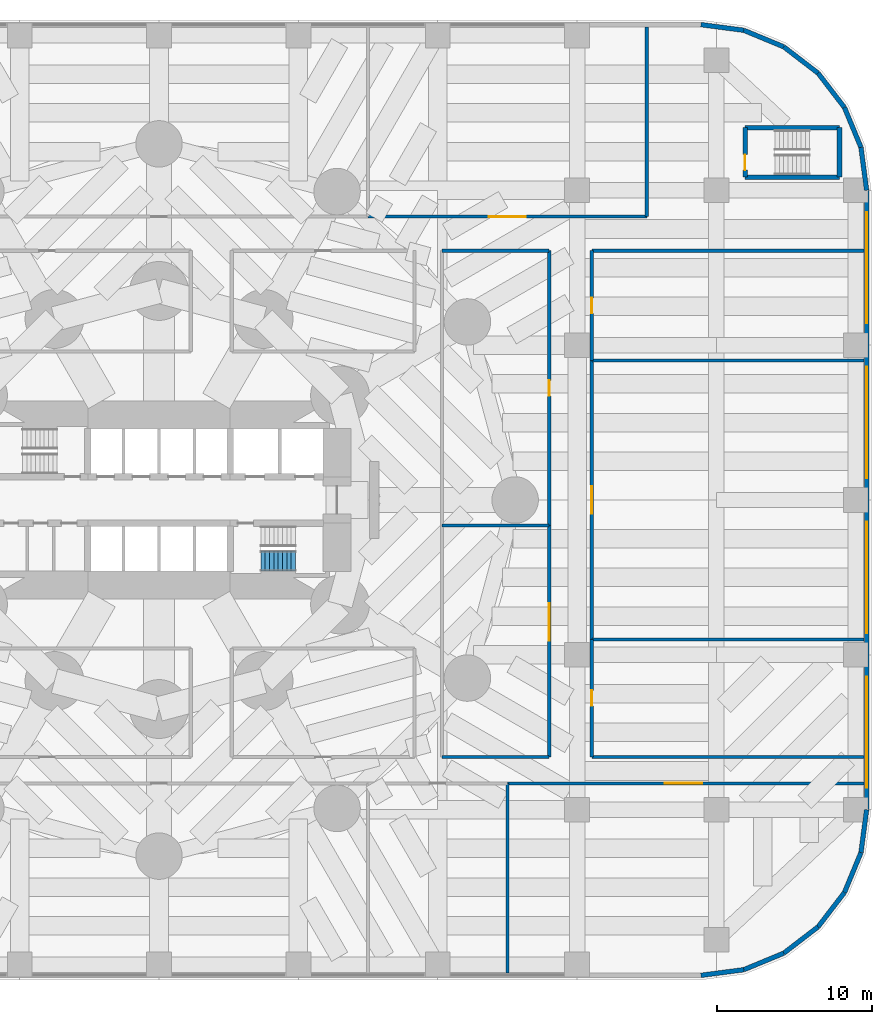
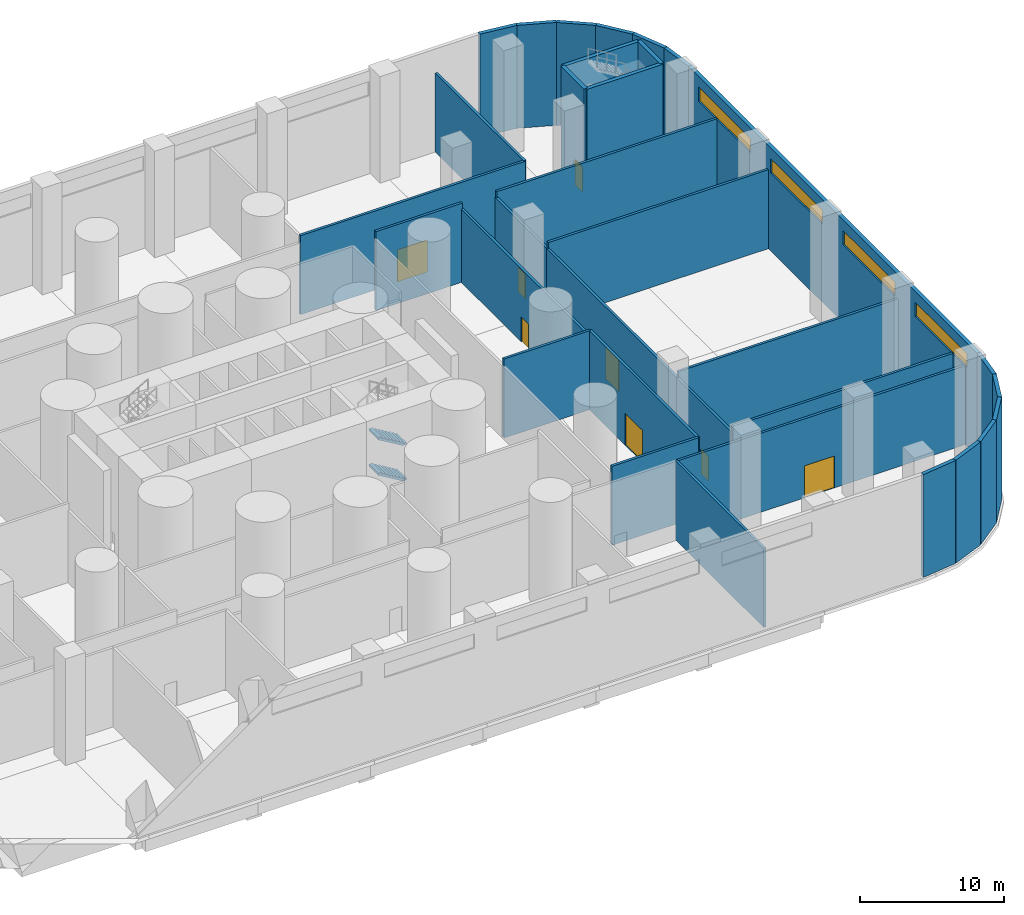
# One storey, part 11 of 13: 33 walls, 8 doors, 4 windows, 2 stair flights, 12 openings, 1 element without a shape of its own.
"""IFC4 building model written with IfcOpenShell, lengths in metres."""

from ifc_helpers import new_model, si_unit, direction, frame, frame_2d, origin, place, context, subcontext, project, spatial, polyline, rectangle, outline, extrude, material, layer, layer_set, type_object, element, fill, aggregate, save


model = new_model("IFC4")

# Units and contexts
model_context = context("Model", 3, precision=1e-05, world=origin(), true_north=direction((0.0, 1.0)))
body_context = subcontext(model_context, "Body", "Model", "MODEL_VIEW")
ifc_project = project(units=[si_unit("LENGTHUNIT", "METRE"), si_unit("AREAUNIT", "SQUARE_METRE"), si_unit("VOLUMEUNIT", "CUBIC_METRE"), si_unit("PLANEANGLEUNIT", "RADIAN"), si_unit("MASSUNIT", "GRAM", prefix="KILO")], contexts=[model_context])

# Site, building, storey
site_placement = place(None, origin())
site = spatial("IfcSite", under=ifc_project, at=site_placement, CompositionType="ELEMENT")
building_placement = place(site_placement, origin())
building = spatial("IfcBuilding", under=site, at=building_placement, Name="Qaws Media Tower", CompositionType="ELEMENT")
storey_placement = place(building_placement, frame((0.0, 0.0, 6.0)))
storey = spatial("IfcBuildingStorey", under=building, at=storey_placement, Name="L01", CompositionType="ELEMENT", Elevation=6.0)

# Walls
ifc_material_1 = material(Name="Precast concrete, exposed finish", Category="concrete")
ifc_layer_1 = layer(ifc_material_1, 0.300048828125)
ifc_layer_set_1 = layer_set([ifc_layer_1], Name="Podium facade wall 300")
wall_type_1 = type_object("IfcWallType", Name="Podium facade wall 300", PredefinedType="SOLIDWALL", material=ifc_layer_set_1)
wall_1_placement = place(storey_placement, frame((95.0, 19.300048828125, 0.0), z_axis=(0.0, 0.0, 1.0), x_axis=(0.991448642066, 0.130497471798, 0.0)))
element("IfcWall", 1, at=wall_1_placement, inside=storey, type_object=wall_type_1, Name="W779 EW2 podium wall L01-01", PredefinedType="SOLIDWALL", context=body_context, shape_type="SweptSolid", body=[
    extrude(rectangle(XDim=2.793212890625, YDim=0.300048828125, at=frame_2d((1.396484375, 0.0))), origin(), (0.0, 0.0, 1.0), 8.699951171875),
])
wall_2_placement = place(storey_placement, frame((97.769287109375, 19.66455078125, 0.0), z_axis=(0.0, 0.0, 1.0), x_axis=(0.923868765822, 0.382709424419, 0.0)))
element("IfcWall", 2, at=wall_2_placement, inside=storey, type_object=wall_type_1, Name="W781 EW2 podium wall L01-02", PredefinedType="SOLIDWALL", context=body_context, shape_type="SweptSolid", body=[
    extrude(rectangle(XDim=2.79345703125, YDim=0.300048828125, at=frame_2d((1.396728515625, 0.0))), origin(), (0.0, 0.0, 1.0), 8.699951171875),
])
for number, where, z_axis, x_axis, name in (
    (3, (100.35009765625, 20.733642578125, 0.0), (0.0, 0.0, 1.0), (0.793396695539, 0.608704923183, 0.0), "W783 EW2 podium wall L01-03"),
    (4, (102.566162109375, 22.433837890625, 0.0), (0.0, 0.0, 1.0), (0.608704923183, 0.793396695539, 0.0), "W785 EW2 podium wall L01-04"),
):
    element("IfcWall", number, at=place(storey_placement, frame(where, z_axis=z_axis, x_axis=x_axis)), inside=storey, type_object=wall_type_1, Name=name, PredefinedType="SOLIDWALL", context=body_context, shape_type="SweptSolid", body=[
        extrude(rectangle(XDim=2.793212890625, YDim=0.300048828125, at=frame_2d((1.396484375, 0.0))), origin(), (0.0, 0.0, 1.0), 8.699951171875),
    ])
wall_3_placement = place(storey_placement, frame((104.266357421875, 24.64990234375, 0.0), z_axis=(0.0, 0.0, 1.0), x_axis=(0.382709424419, 0.923868765822, 0.0)))
element("IfcWall", 5, at=wall_3_placement, inside=storey, type_object=wall_type_1, Name="W787 EW2 podium wall L01-05", PredefinedType="SOLIDWALL", context=body_context, shape_type="SweptSolid", body=[
    extrude(rectangle(XDim=2.79345703125, YDim=0.300048828125, at=frame_2d((1.396728515625, 0.0))), origin(), (0.0, 0.0, 1.0), 8.699951171875),
])
wall_4_placement = place(storey_placement, frame((105.33544921875, 27.230712890625, 0.0), z_axis=(0.0, 0.0, 1.0), x_axis=(0.130497471798, 0.991448642066, 0.0)))
element("IfcWall", 6, at=wall_4_placement, inside=storey, type_object=wall_type_1, Name="W789 EW2 podium wall L01-06", PredefinedType="SOLIDWALL", context=body_context, shape_type="SweptSolid", body=[
    extrude(rectangle(XDim=2.793212890625, YDim=0.300048828125, at=frame_2d((1.396484375, 0.0))), origin(), (0.0, 0.0, 1.0), 8.699951171875),
])

# Wall, openings, windows
wall_5_placement = place(storey_placement, frame((105.699951171875, 30.0, 0.0), z_axis=(0.0, 0.0, 1.0), x_axis=(0.0, 1.0, 0.0)))
wall_5 = element("IfcWall", 7, at=wall_5_placement, inside=storey, type_object=wall_type_1, Name="W791 EW2 podium wall L01-07", PredefinedType="SOLIDWALL", context=body_context, shape_type="SweptSolid", body=[
    extrude(rectangle(XDim=40.0, YDim=0.300048828125, at=frame_2d((20.0, 0.0))), origin(), (0.0, 0.0, 1.0), 8.699951171875),
])
opening_1_placement = place(wall_5_placement, frame((1.39990234375, 0.0, 6.60009765625)))
opening_1 = element("IfcOpeningElement", 8, at=opening_1_placement, cuts=wall_5, Name="Opening W4", PredefinedType="OPENING", context=body_context, shape_type="SweptSolid", body=[
    extrude(rectangle(XDim=7.199951171875, YDim=1.199951171875, at=frame_2d((3.60009765625, 0.60009765625))), frame((0.0, 0.159912109375, 0.0), z_axis=(0.0, -1.0, 0.0), x_axis=(1.0, 0.0, 0.0)), (0.0, 0.0, 1.0), 0.320068359375),
])
opening_2_placement = place(wall_5_placement, frame((11.39990234375, 0.0, 6.60009765625)))
opening_2 = element("IfcOpeningElement", 9, at=opening_2_placement, cuts=wall_5, Name="Opening W4", PredefinedType="OPENING", context=body_context, shape_type="SweptSolid", body=[
    extrude(rectangle(XDim=7.199951171875, YDim=1.199951171875, at=frame_2d((3.60009765625, 0.60009765625))), frame((0.0, 0.159912109375, 0.0), z_axis=(0.0, -1.0, 0.0), x_axis=(1.0, 0.0, 0.0)), (0.0, 0.0, 1.0), 0.320068359375),
])
opening_3_placement = place(wall_5_placement, frame((21.39990234375, 0.0, 6.60009765625)))
opening_3 = element("IfcOpeningElement", 10, at=opening_3_placement, cuts=wall_5, Name="Opening W4", PredefinedType="OPENING", context=body_context, shape_type="SweptSolid", body=[
    extrude(rectangle(XDim=7.199951171875, YDim=1.199951171875, at=frame_2d((3.60009765625, 0.60009765625))), frame((0.0, 0.159912109375, 0.0), z_axis=(0.0, -1.0, 0.0), x_axis=(1.0, 0.0, 0.0)), (0.0, 0.0, 1.0), 0.320068359375),
])
opening_4_placement = place(wall_5_placement, frame((31.39990234375, 0.0, 6.60009765625)))
opening_4 = element("IfcOpeningElement", 11, at=opening_4_placement, cuts=wall_5, Name="Opening W4", PredefinedType="OPENING", context=body_context, shape_type="SweptSolid", body=[
    extrude(rectangle(XDim=7.199951171875, YDim=1.199951171875, at=frame_2d((3.60009765625, 0.60009765625))), frame((0.0, 0.159912109375, 0.0), z_axis=(0.0, -1.0, 0.0), x_axis=(1.0, 0.0, 0.0)), (0.0, 0.0, 1.0), 0.320068359375),
])
ifc_material_2 = material(Name="Aluminium and clear glass", Category="aluminium")
window_type = type_object("IfcWindowType", Name="Clerestory window 7200x1200", PartitioningType="TRIPLE_PANEL_HORIZONTAL", PredefinedType="WINDOW", material=ifc_material_2)
window_1_placement = place(opening_1_placement, origin())
window_1 = element("IfcWindow", 12, at=window_1_placement, inside=storey, type_object=window_type, Name="W4 window L01 bay 2", OverallHeight=1.199951171875, OverallWidth=7.199951171875, PartitioningType="SINGLE_PANEL", PredefinedType="WINDOW", context=body_context, shape_type="SweptSolid", body=[
    extrude(rectangle(XDim=7.199951171875, YDim=1.199951171875, at=frame_2d((3.60009765625, 0.60009765625))), frame((0.0, 0.030029296875, 0.0), z_axis=(0.0, -1.0, 0.0), x_axis=(1.0, 0.0, 0.0)), (0.0, 0.0, 1.0), 0.06005859375),
])
fill(opening_1, window_1)
window_2_placement = place(opening_2_placement, origin())
window_2 = element("IfcWindow", 13, at=window_2_placement, inside=storey, type_object=window_type, Name="W4 window L01 bay 3", OverallHeight=1.199951171875, OverallWidth=7.199951171875, PartitioningType="SINGLE_PANEL", PredefinedType="WINDOW", context=body_context, shape_type="SweptSolid", body=[
    extrude(rectangle(XDim=7.199951171875, YDim=1.199951171875, at=frame_2d((3.60009765625, 0.60009765625))), frame((0.0, 0.030029296875, 0.0), z_axis=(0.0, -1.0, 0.0), x_axis=(1.0, 0.0, 0.0)), (0.0, 0.0, 1.0), 0.06005859375),
])
fill(opening_2, window_2)
window_3_placement = place(opening_3_placement, origin())
window_3 = element("IfcWindow", 14, at=window_3_placement, inside=storey, type_object=window_type, Name="W4 window L01 bay 4", OverallHeight=1.199951171875, OverallWidth=7.199951171875, PartitioningType="SINGLE_PANEL", PredefinedType="WINDOW", context=body_context, shape_type="SweptSolid", body=[
    extrude(rectangle(XDim=7.199951171875, YDim=1.199951171875, at=frame_2d((3.60009765625, 0.60009765625))), frame((0.0, 0.030029296875, 0.0), z_axis=(0.0, -1.0, 0.0), x_axis=(1.0, 0.0, 0.0)), (0.0, 0.0, 1.0), 0.06005859375),
])
fill(opening_3, window_3)
window_4_placement = place(opening_4_placement, origin())
window_4 = element("IfcWindow", 15, at=window_4_placement, inside=storey, type_object=window_type, Name="W4 window L01 bay 5", OverallHeight=1.199951171875, OverallWidth=7.199951171875, PartitioningType="SINGLE_PANEL", PredefinedType="WINDOW", context=body_context, shape_type="SweptSolid", body=[
    extrude(rectangle(XDim=7.199951171875, YDim=1.199951171875, at=frame_2d((3.60009765625, 0.60009765625))), frame((0.0, 0.030029296875, 0.0), z_axis=(0.0, -1.0, 0.0), x_axis=(1.0, 0.0, 0.0)), (0.0, 0.0, 1.0), 0.06005859375),
])
fill(opening_4, window_4)

# Walls
wall_6_placement = place(storey_placement, frame((105.699951171875, 70.0, 0.0), z_axis=(0.0, 0.0, 1.0), x_axis=(-0.130497471798, 0.991448642066, 0.0)))
element("IfcWall", 16, at=wall_6_placement, inside=storey, type_object=wall_type_1, Name="W792 EW2 podium wall L01-08", PredefinedType="SOLIDWALL", context=body_context, shape_type="SweptSolid", body=[
    extrude(rectangle(XDim=2.793212890625, YDim=0.300048828125, at=frame_2d((1.396484375, 0.0))), origin(), (0.0, 0.0, 1.0), 8.699951171875),
])
wall_7_placement = place(storey_placement, frame((105.33544921875, 72.769287109375, 0.0), z_axis=(0.0, 0.0, 1.0), x_axis=(-0.382709424419, 0.923868765822, 0.0)))
element("IfcWall", 17, at=wall_7_placement, inside=storey, type_object=wall_type_1, Name="W790 EW2 podium wall L01-09", PredefinedType="SOLIDWALL", context=body_context, shape_type="SweptSolid", body=[
    extrude(rectangle(XDim=2.79345703125, YDim=0.300048828125, at=frame_2d((1.396728515625, 0.0))), origin(), (0.0, 0.0, 1.0), 8.699951171875),
])
for number, where, z_axis, x_axis, name in (
    (18, (104.266357421875, 75.35009765625, 0.0), (0.0, 0.0, 1.0), (-0.608704923183, 0.793396695539, 0.0), "W788 EW2 podium wall L01-10"),
    (19, (102.566162109375, 77.566162109375, 0.0), (0.0, 0.0, 1.0), (-0.793396695539, 0.608704923183, 0.0), "W786 EW2 podium wall L01-11"),
):
    element("IfcWall", number, at=place(storey_placement, frame(where, z_axis=z_axis, x_axis=x_axis)), inside=storey, type_object=wall_type_1, Name=name, PredefinedType="SOLIDWALL", context=body_context, shape_type="SweptSolid", body=[
        extrude(rectangle(XDim=2.793212890625, YDim=0.300048828125, at=frame_2d((1.396484375, 0.0))), origin(), (0.0, 0.0, 1.0), 8.699951171875),
    ])
wall_8_placement = place(storey_placement, frame((100.35009765625, 79.266357421875, 0.0), z_axis=(0.0, 0.0, 1.0), x_axis=(-0.923868765822, 0.382709424419, 0.0)))
element("IfcWall", 20, at=wall_8_placement, inside=storey, type_object=wall_type_1, Name="W784 EW2 podium wall L01-12", PredefinedType="SOLIDWALL", context=body_context, shape_type="SweptSolid", body=[
    extrude(rectangle(XDim=2.79345703125, YDim=0.300048828125, at=frame_2d((1.396728515625, 0.0))), origin(), (0.0, 0.0, 1.0), 8.699951171875),
])
wall_9_placement = place(storey_placement, frame((97.769287109375, 80.33544921875, 0.0), z_axis=(0.0, 0.0, 1.0), x_axis=(-0.991448642066, 0.130497471798, 0.0)))
element("IfcWall", 21, at=wall_9_placement, inside=storey, type_object=wall_type_1, Name="W782 EW2 podium wall L01-13", PredefinedType="SOLIDWALL", context=body_context, shape_type="SweptSolid", body=[
    extrude(rectangle(XDim=2.793212890625, YDim=0.300048828125, at=frame_2d((1.396484375, 0.0))), origin(), (0.0, 0.0, 1.0), 8.699951171875),
])
ifc_material_3 = material(Name="Gypsum board on galvanised metal studs, acoustic double stud, deflection head", Category="gypsum")
ifc_layer_2 = layer(ifc_material_3, 0.199951171875)
ifc_layer_set_2 = layer_set([ifc_layer_2], Name="Room partition 200")
wall_type_2 = type_object("IfcWallType", Name="Room partition 200", PredefinedType="PARTITIONING", material=ifc_layer_set_2)
wall_10_placement = place(storey_placement, frame((82.5, 19.455078125, 0.0), z_axis=(0.0, 0.0, 1.0), x_axis=(0.0, 1.0, 0.0)))
element("IfcWall", 22, at=wall_10_placement, inside=storey, type_object=wall_type_2, Name="W912 IW3 partition L01", PredefinedType="PARTITIONING", context=body_context, shape_type="SweptSolid", body=[
    extrude(rectangle(XDim=12.244873046875, YDim=0.199951171875, at=frame_2d((6.12255859375, 0.0))), origin(), (0.0, 0.0, 1.0), 6.679931640625),
])

# Wall, opening, door
wall_11_placement = place(storey_placement, frame((85.199951171875, 33.39990234375, 0.0), z_axis=(0.0, 0.0, 1.0), x_axis=(0.0, 1.0, 0.0)))
wall_11 = element("IfcWall", 23, at=wall_11_placement, inside=storey, type_object=wall_type_2, Name="W913 IW3 partition L01", PredefinedType="PARTITIONING", context=body_context, shape_type="SweptSolid", body=[
    extrude(rectangle(XDim=14.9501953125, YDim=0.199951171875, at=frame_2d((7.47509765625, 0.0))), origin(), (0.0, 0.0, 1.0), 6.679931640625),
])
opening_5_placement = place(wall_11_placement, frame((7.52490234375, 0.0, 0.0)))
opening_5 = element("IfcOpeningElement", 24, at=opening_5_placement, cuts=wall_11, Name="Opening D20", PredefinedType="OPENING", context=body_context, shape_type="SweptSolid", body=[
    extrude(rectangle(XDim=2.39990234375, YDim=2.699951171875, at=frame_2d((1.199951171875, 1.35009765625))), frame((0.0, 0.10986328125, 0.0), z_axis=(0.0, -1.0, 0.0), x_axis=(1.0, 0.0, 0.0)), (0.0, 0.0, 1.0), 0.219970703125),
])
ifc_material_4 = material(Name="Steel, fire rated", Category="steel")
door_type_1 = type_object("IfcDoorType", Name="Workshop door pair 2400x2700", OperationType="DOUBLE_DOOR_DOUBLE_SWING", PredefinedType="DOOR", material=ifc_material_4)
door_1_placement = place(opening_5_placement, origin())
door_1 = element("IfcDoor", 25, at=door_1_placement, inside=storey, type_object=door_type_1, Name="D20 Lighting workshop door in wall W913", OperationType="DOUBLE_DOOR_DOUBLE_SWING", OverallHeight=2.699951171875, OverallWidth=2.39990234375, PredefinedType="DOOR", context=body_context, shape_type="SweptSolid", body=[
    extrude(rectangle(XDim=2.39990234375, YDim=2.699951171875, at=frame_2d((1.199951171875, 1.35009765625))), frame((0.0, 0.02490234375, 0.0), z_axis=(0.0, -1.0, 0.0), x_axis=(1.0, 0.0, 0.0)), (0.0, 0.0, 1.0), 0.050048828125),
])
fill(opening_5, door_1)

wall_12_placement = place(storey_placement, frame((85.199951171875, 48.35009765625, 0.0), z_axis=(0.0, 0.0, 1.0), x_axis=(0.0, 1.0, 0.0)))
wall_12 = element("IfcWall", 26, at=wall_12_placement, inside=storey, type_object=wall_type_2, Name="W914 IW3 partition L01", PredefinedType="PARTITIONING", context=body_context, shape_type="SweptSolid", body=[
    extrude(rectangle(XDim=17.75, YDim=0.199951171875, at=frame_2d((8.875, 0.0))), origin(), (0.0, 0.0, 1.0), 6.179931640625),
])
opening_6_placement = place(wall_12_placement, frame((8.375, 0.0, 0.0)))
opening_6 = element("IfcOpeningElement", 27, at=opening_6_placement, cuts=wall_12, Name="Opening D5", PredefinedType="OPENING", context=body_context, shape_type="SweptSolid", body=[
    extrude(rectangle(XDim=1.0, YDim=2.10009765625, at=frame_2d((0.5, 1.050048828125))), frame((0.0, 0.10986328125, 0.0), z_axis=(0.0, -1.0, 0.0), x_axis=(1.0, 0.0, 0.0)), (0.0, 0.0, 1.0), 0.219970703125),
])
ifc_material_5 = material(Name="Timber veneered, acoustic seal", Category="wood")
door_type_2 = type_object("IfcDoorType", Name="Room door 1000", OperationType="SINGLE_SWING_LEFT", PredefinedType="DOOR", material=ifc_material_5)
door_2_placement = place(opening_6_placement, origin())
door_2 = element("IfcDoor", 28, at=door_2_placement, inside=storey, type_object=door_type_2, Name="D5 Floor managers' office door in wall W914", OperationType="SINGLE_SWING_LEFT", OverallHeight=2.10009765625, OverallWidth=1.0, PredefinedType="DOOR", context=body_context, shape_type="SweptSolid", body=[
    extrude(rectangle(XDim=1.0, YDim=2.10009765625, at=frame_2d((0.5, 1.050048828125))), frame((0.0, 0.02490234375, 0.0), z_axis=(0.0, -1.0, 0.0), x_axis=(1.0, 0.0, 0.0)), (0.0, 0.0, 1.0), 0.050048828125),
])
fill(opening_6, door_2)

wall_13_placement = place(storey_placement, frame((87.949951171875, 33.39990234375, 0.0), z_axis=(0.0, 0.0, 1.0), x_axis=(0.0, 1.0, 0.0)))
wall_13 = element("IfcWall", 29, at=wall_13_placement, inside=storey, type_object=wall_type_2, Name="W915 IW3 partition L01", PredefinedType="PARTITIONING", context=body_context, shape_type="SweptSolid", body=[
    extrude(rectangle(XDim=7.60009765625, YDim=0.199951171875, at=frame_2d((3.800048828125, 0.0))), origin(), (0.0, 0.0, 1.0), 6.179931640625),
])
opening_7_placement = place(wall_13_placement, frame((3.300048828125, 0.0, 0.0)))
opening_7 = element("IfcOpeningElement", 30, at=opening_7_placement, cuts=wall_13, Name="Opening D5", PredefinedType="OPENING", context=body_context, shape_type="SweptSolid", body=[
    extrude(rectangle(XDim=1.0, YDim=2.10009765625, at=frame_2d((0.5, 1.050048828125))), frame((0.0, 0.10986328125, 0.0), z_axis=(0.0, -1.0, 0.0), x_axis=(1.0, 0.0, 0.0)), (0.0, 0.0, 1.0), 0.219970703125),
])
door_3_placement = place(opening_7_placement, origin())
door_3 = element("IfcDoor", 31, at=door_3_placement, inside=storey, type_object=door_type_2, Name="D5 Wardrobe fitting room door in wall W915", OperationType="SINGLE_SWING_LEFT", OverallHeight=2.10009765625, OverallWidth=1.0, PredefinedType="DOOR", context=body_context, shape_type="SweptSolid", body=[
    extrude(rectangle(XDim=1.0, YDim=2.10009765625, at=frame_2d((0.5, 1.050048828125))), frame((0.0, 0.02490234375, 0.0), z_axis=(0.0, -1.0, 0.0), x_axis=(1.0, 0.0, 0.0)), (0.0, 0.0, 1.0), 0.050048828125),
])
fill(opening_7, door_3)

wall_14_placement = place(storey_placement, frame((87.949951171875, 41.0, 0.0), z_axis=(0.0, 0.0, 1.0), x_axis=(0.0, 1.0, 0.0)))
wall_14 = element("IfcWall", 32, at=wall_14_placement, inside=storey, type_object=wall_type_2, Name="W917 IW3 partition L01", PredefinedType="PARTITIONING", context=body_context, shape_type="SweptSolid", body=[
    extrude(rectangle(XDim=18.0, YDim=0.199951171875, at=frame_2d((9.0, 0.0))), origin(), (0.0, 0.0, 1.0), 6.179931640625),
])
opening_8_placement = place(wall_14_placement, frame((8.10009765625, 0.0, 0.0)))
opening_8 = element("IfcOpeningElement", 33, at=opening_8_placement, cuts=wall_14, Name="Opening D15", PredefinedType="OPENING", context=body_context, shape_type="SweptSolid", body=[
    extrude(rectangle(XDim=1.800048828125, YDim=2.699951171875, at=frame_2d((0.89990234375, 1.35009765625))), frame((0.0, 0.10986328125, 0.0), z_axis=(0.0, -1.0, 0.0), x_axis=(1.0, 0.0, 0.0)), (0.0, 0.0, 1.0), 0.219970703125),
])
ifc_material_6 = material(Name="Steel acoustic door set, Rw 50", Category="steel")
door_type_3 = type_object("IfcDoorType", Name="Studio acoustic door pair 1800x2700 Rw 50", OperationType="DOUBLE_DOOR_DOUBLE_SWING", PredefinedType="DOOR", material=ifc_material_6)
door_4_placement = place(opening_8_placement, origin())
door_4 = element("IfcDoor", 34, at=door_4_placement, inside=storey, type_object=door_type_3, Name="D15 Studio B door in wall W917", OperationType="DOUBLE_DOOR_DOUBLE_SWING", OverallHeight=2.699951171875, OverallWidth=1.800048828125, PredefinedType="DOOR", context=body_context, shape_type="SweptSolid", body=[
    extrude(rectangle(XDim=1.800048828125, YDim=2.699951171875, at=frame_2d((0.89990234375, 1.35009765625))), frame((0.0, 0.02490234375, 0.0), z_axis=(0.0, -1.0, 0.0), x_axis=(1.0, 0.0, 0.0)), (0.0, 0.0, 1.0), 0.050048828125),
])
fill(opening_8, door_4)

wall_15_placement = place(storey_placement, frame((87.949951171875, 59.0, 0.0), z_axis=(0.0, 0.0, 1.0), x_axis=(0.0, 1.0, 0.0)))
wall_15 = element("IfcWall", 35, at=wall_15_placement, inside=storey, type_object=wall_type_2, Name="W919 IW3 partition L01", PredefinedType="PARTITIONING", context=body_context, shape_type="SweptSolid", body=[
    extrude(rectangle(XDim=7.10009765625, YDim=0.199951171875, at=frame_2d((3.550048828125, 0.0))), origin(), (0.0, 0.0, 1.0), 6.179931640625),
])
opening_9_placement = place(wall_15_placement, frame((3.050048828125, 0.0, 0.0)))
opening_9 = element("IfcOpeningElement", 36, at=opening_9_placement, cuts=wall_15, Name="Opening D5", PredefinedType="OPENING", context=body_context, shape_type="SweptSolid", body=[
    extrude(rectangle(XDim=1.0, YDim=2.10009765625, at=frame_2d((0.5, 1.050048828125))), frame((0.0, 0.10986328125, 0.0), z_axis=(0.0, -1.0, 0.0), x_axis=(1.0, 0.0, 0.0)), (0.0, 0.0, 1.0), 0.219970703125),
])
door_5_placement = place(opening_9_placement, origin())
door_5 = element("IfcDoor", 37, at=door_5_placement, inside=storey, type_object=door_type_2, Name="D5 Camera maintenance room door in wall W919", OperationType="SINGLE_SWING_LEFT", OverallHeight=2.10009765625, OverallWidth=1.0, PredefinedType="DOOR", context=body_context, shape_type="SweptSolid", body=[
    extrude(rectangle(XDim=1.0, YDim=2.10009765625, at=frame_2d((0.5, 1.050048828125))), frame((0.0, 0.02490234375, 0.0), z_axis=(0.0, -1.0, 0.0), x_axis=(1.0, 0.0, 0.0)), (0.0, 0.0, 1.0), 0.050048828125),
])
fill(opening_9, door_5)

# Wall
wall_16_placement = place(storey_placement, frame((91.5, 68.300048828125, 0.0), z_axis=(0.0, 0.0, 1.0), x_axis=(0.0, 1.0, 0.0)))
element("IfcWall", 38, at=wall_16_placement, inside=storey, type_object=wall_type_2, Name="W886 IW3 partition L01", PredefinedType="PARTITIONING", context=body_context, shape_type="SweptSolid", body=[
    extrude(rectangle(XDim=12.244873046875, YDim=0.199951171875, at=frame_2d((6.12255859375, 0.0))), origin(), (0.0, 0.0, 1.0), 6.679931640625),
])

# Wall, opening, door
wall_17_placement = place(storey_placement, frame((82.5, 31.699951171875, 0.0), z_axis=(0.0, 0.0, 1.0), x_axis=(1.0, 0.0, 0.0)))
wall_17 = element("IfcWall", 39, at=wall_17_placement, inside=storey, type_object=wall_type_2, Name="W880 IW3 partition L01", PredefinedType="PARTITIONING", context=body_context, shape_type="SweptSolid", body=[
    extrude(rectangle(XDim=23.044921875, YDim=0.199951171875, at=frame_2d((11.5224609375, 0.0))), origin(), (0.0, 0.0, 1.0), 6.679931640625),
])
opening_10_placement = place(wall_17_placement, frame((10.172607421875, 0.0, 0.0)))
opening_10 = element("IfcOpeningElement", 40, at=opening_10_placement, cuts=wall_17, Name="Opening D20", PredefinedType="OPENING", context=body_context, shape_type="SweptSolid", body=[
    extrude(rectangle(XDim=2.39990234375, YDim=2.699951171875, at=frame_2d((1.199951171875, 1.35009765625))), frame((0.0, 0.10986328125, 0.0), z_axis=(0.0, -1.0, 0.0), x_axis=(1.0, 0.0, 0.0)), (0.0, 0.0, 1.0), 0.219970703125),
])
door_6_placement = place(opening_10_placement, origin())
door_6 = element("IfcDoor", 41, at=door_6_placement, inside=storey, type_object=door_type_1, Name="D20 Scenery workshop door in wall W880", OperationType="DOUBLE_DOOR_DOUBLE_SWING", OverallHeight=2.699951171875, OverallWidth=2.39990234375, PredefinedType="DOOR", context=body_context, shape_type="SweptSolid", body=[
    extrude(rectangle(XDim=2.39990234375, YDim=2.699951171875, at=frame_2d((1.199951171875, 1.35009765625))), frame((0.0, 0.02490234375, 0.0), z_axis=(0.0, -1.0, 0.0), x_axis=(1.0, 0.0, 0.0)), (0.0, 0.0, 1.0), 0.050048828125),
])
fill(opening_10, door_6)

# Walls
wall_18_placement = place(storey_placement, frame((78.27001953125, 33.39990234375, 0.0), z_axis=(0.0, 0.0, 1.0), x_axis=(1.0, 0.0, 0.0)))
element("IfcWall", 42, at=wall_18_placement, inside=storey, type_object=wall_type_2, Name="W908 IW3 partition L01", PredefinedType="PARTITIONING", context=body_context, shape_type="SweptSolid", body=[
    extrude(rectangle(XDim=6.929931640625, YDim=0.199951171875, at=frame_2d((3.46484375, 0.0))), origin(), (0.0, 0.0, 1.0), 6.679931640625),
])
for number, where, z_axis, x_axis, name in (
    (43, (87.949951171875, 33.39990234375, 0.0), (0.0, 0.0, 1.0), (1.0, 0.0, 0.0), "W916 IW3 partition L01"),
    (44, (87.949951171875, 41.0, 0.0), (0.0, 0.0, 1.0), (1.0, 0.0, 0.0), "W918 IW3 partition L01"),
):
    element("IfcWall", number, at=place(storey_placement, frame(where, z_axis=z_axis, x_axis=x_axis)), inside=storey, type_object=wall_type_2, Name=name, PredefinedType="PARTITIONING", context=body_context, shape_type="SweptSolid", body=[
        extrude(rectangle(XDim=17.594970703125, YDim=0.199951171875, at=frame_2d((8.79736328125, 0.0))), origin(), (0.0, 0.0, 1.0), 6.679931640625),
    ])
wall_19_placement = place(storey_placement, frame((78.27001953125, 48.35009765625, 0.0), z_axis=(0.0, 0.0, 1.0), x_axis=(1.0, 0.0, 0.0)))
element("IfcWall", 45, at=wall_19_placement, inside=storey, type_object=wall_type_2, Name="W910 IW3 partition L01", PredefinedType="PARTITIONING", context=body_context, shape_type="SweptSolid", body=[
    extrude(rectangle(XDim=6.929931640625, YDim=0.199951171875, at=frame_2d((3.46484375, 0.0))), origin(), (0.0, 0.0, 1.0), 6.679931640625),
])
wall_20_placement = place(storey_placement, frame((87.949951171875, 59.0, 0.0), z_axis=(0.0, 0.0, 1.0), x_axis=(1.0, 0.0, 0.0)))
element("IfcWall", 46, at=wall_20_placement, inside=storey, type_object=wall_type_2, Name="W920 IW3 partition L01", PredefinedType="PARTITIONING", context=body_context, shape_type="SweptSolid", body=[
    extrude(rectangle(XDim=17.594970703125, YDim=0.199951171875, at=frame_2d((8.79736328125, 0.0))), origin(), (0.0, 0.0, 1.0), 6.679931640625),
])
wall_21_placement = place(storey_placement, frame((78.27001953125, 66.10009765625, 0.0), z_axis=(0.0, 0.0, 1.0), x_axis=(1.0, 0.0, 0.0)))
element("IfcWall", 47, at=wall_21_placement, inside=storey, type_object=wall_type_2, Name="W911 IW3 partition L01", PredefinedType="PARTITIONING", context=body_context, shape_type="SweptSolid", body=[
    extrude(rectangle(XDim=6.929931640625, YDim=0.199951171875, at=frame_2d((3.46484375, 0.0))), origin(), (0.0, 0.0, 1.0), 6.679931640625),
])
wall_22_placement = place(storey_placement, frame((87.949951171875, 66.10009765625, 0.0), z_axis=(0.0, 0.0, 1.0), x_axis=(1.0, 0.0, 0.0)))
element("IfcWall", 48, at=wall_22_placement, inside=storey, type_object=wall_type_2, Name="W921 IW3 partition L01", PredefinedType="PARTITIONING", context=body_context, shape_type="SweptSolid", body=[
    extrude(rectangle(XDim=17.594970703125, YDim=0.199951171875, at=frame_2d((8.79736328125, 0.0))), origin(), (0.0, 0.0, 1.0), 6.679931640625),
])

# Wall, opening, door
wall_23_placement = place(storey_placement, frame((73.5, 68.300048828125, 0.0), z_axis=(0.0, 0.0, 1.0), x_axis=(1.0, 0.0, 0.0)))
wall_23 = element("IfcWall", 49, at=wall_23_placement, inside=storey, type_object=wall_type_2, Name="W874 IW3 partition L01", PredefinedType="PARTITIONING", context=body_context, shape_type="SweptSolid", body=[
    extrude(rectangle(XDim=18.0, YDim=0.199951171875, at=frame_2d((9.0, 0.0))), origin(), (0.0, 0.0, 1.0), 6.679931640625),
])
opening_11_placement = place(wall_23_placement, frame((7.800048828125, 0.0, 0.0)))
opening_11 = element("IfcOpeningElement", 50, at=opening_11_placement, cuts=wall_23, Name="Opening D20", PredefinedType="OPENING", context=body_context, shape_type="SweptSolid", body=[
    extrude(rectangle(XDim=2.39990234375, YDim=2.699951171875, at=frame_2d((1.199951171875, 1.35009765625))), frame((0.0, 0.10986328125, 0.0), z_axis=(0.0, -1.0, 0.0), x_axis=(1.0, 0.0, 0.0)), (0.0, 0.0, 1.0), 0.219970703125),
])
door_7_placement = place(opening_11_placement, origin())
door_7 = element("IfcDoor", 51, at=door_7_placement, inside=storey, type_object=door_type_1, Name="D20 Technical workshop door in wall W874", OperationType="DOUBLE_DOOR_DOUBLE_SWING", OverallHeight=2.699951171875, OverallWidth=2.39990234375, PredefinedType="DOOR", context=body_context, shape_type="SweptSolid", body=[
    extrude(rectangle(XDim=2.39990234375, YDim=2.699951171875, at=frame_2d((1.199951171875, 1.35009765625))), frame((0.0, 0.02490234375, 0.0), z_axis=(0.0, -1.0, 0.0), x_axis=(1.0, 0.0, 0.0)), (0.0, 0.0, 1.0), 0.050048828125),
])
fill(opening_11, door_7)

# Walls
ifc_material_7 = material(Name="Concrete C60/75", Category="concrete")
ifc_layer_3 = layer(ifc_material_7, 0.300048828125)
ifc_layer_set_3 = layer_set([ifc_layer_3], Name="Stair enclosure wall 300")
wall_type_3 = type_object("IfcWallType", Name="Stair enclosure wall 300", PredefinedType="SHEAR", material=ifc_layer_set_3)
for number, where, z_axis, x_axis, name in (
    (52, (97.85009765625, 70.85009765625, 0.0), (0.0, 0.0, 1.0), (1.0, 0.0, 0.0), "W1887 SW7 stair S4 enclosure S L01"),
    (53, (97.85009765625, 74.050048828125, 0.0), (0.0, 0.0, 1.0), (1.0, 0.0, 0.0), "W1888 SW7 stair S4 enclosure N L01"),
):
    element("IfcWall", number, at=place(storey_placement, frame(where, z_axis=z_axis, x_axis=x_axis)), inside=storey, type_object=wall_type_3, Name=name, PredefinedType="SHEAR", context=body_context, shape_type="SweptSolid", body=[
        extrude(rectangle(XDim=6.099853515625, YDim=0.300048828125, at=frame_2d((3.0498046875, 0.0))), origin(), (0.0, 0.0, 1.0), 9.0),
    ])

# Wall, opening, door
wall_24_placement = place(storey_placement, frame((97.85009765625, 70.85009765625, 0.0), z_axis=(0.0, 0.0, 1.0), x_axis=(0.0, 1.0, 0.0)))
wall_24 = element("IfcWall", 54, at=wall_24_placement, inside=storey, type_object=wall_type_3, Name="W1886 SW7 stair S4 enclosure W L01", PredefinedType="SHEAR", context=body_context, shape_type="SweptSolid", body=[
    extrude(rectangle(XDim=3.199951171875, YDim=0.300048828125, at=frame_2d((1.60009765625, 0.0))), origin(), (0.0, 0.0, 1.0), 9.0),
])
opening_12_placement = place(wall_24_placement, frame((0.449951171875, 0.0, 0.0)))
opening_12 = element("IfcOpeningElement", 55, at=opening_12_placement, cuts=wall_24, Name="Opening D1", PredefinedType="OPENING", context=body_context, shape_type="SweptSolid", body=[
    extrude(rectangle(XDim=1.0, YDim=2.10009765625, at=frame_2d((0.5, 1.050048828125))), frame((0.0, 0.159912109375, 0.0), z_axis=(0.0, -1.0, 0.0), x_axis=(1.0, 0.0, 0.0)), (0.0, 0.0, 1.0), 0.320068359375),
])
ifc_material_8 = material(Name="Steel, fire rated", Category="steel")
door_type_4 = type_object("IfcDoorType", Name="Stair door 1000 FD120", OperationType="SINGLE_SWING_LEFT", PredefinedType="DOOR", material=ifc_material_8)
door_8_placement = place(opening_12_placement, origin())
door_8 = element("IfcDoor", 56, at=door_8_placement, inside=storey, type_object=door_type_4, Name="D1 stair S4 door L01 in wall W1886", OperationType="SINGLE_SWING_LEFT", OverallHeight=2.10009765625, OverallWidth=1.0, PredefinedType="DOOR", context=body_context, shape_type="SweptSolid", body=[
    extrude(rectangle(XDim=1.0, YDim=2.10009765625, at=frame_2d((0.5, 1.050048828125))), frame((0.0, 0.02490234375, 0.0), z_axis=(0.0, -1.0, 0.0), x_axis=(1.0, 0.0, 0.0)), (0.0, 0.0, 1.0), 0.050048828125),
])
fill(opening_12, door_8)

# Wall
wall_25_placement = place(storey_placement, frame((103.949951171875, 70.85009765625, 0.0), z_axis=(0.0, 0.0, 1.0), x_axis=(0.0, 1.0, 0.0)))
element("IfcWall", 57, at=wall_25_placement, inside=storey, type_object=wall_type_3, Name="W1889 SW7 stair S4 enclosure E L01", PredefinedType="SHEAR", context=body_context, shape_type="SweptSolid", body=[
    extrude(rectangle(XDim=3.199951171875, YDim=0.300048828125, at=frame_2d((1.60009765625, 0.0))), origin(), (0.0, 0.0, 1.0), 9.0),
])

# Stair, stair flights
ifc_material_9 = material(Name="Concrete C40/50", Category="concrete")
stair_type = type_object("IfcStairType", Name="Exit stair", PredefinedType="HALF_TURN_STAIR", material=ifc_material_9)
stair_placement = place(storey_placement, origin())
stair = element("IfcStair", 58, at=stair_placement, inside=storey, type_object=stair_type, Name="S2 exit stair L01", PredefinedType="HALF_TURN_STAIR")
ifc_material_10 = material(Name="Concrete C40/50", Category="concrete")
stair_flight_type = type_object("IfcStairFlightType", Name="Stair flight 1310", PredefinedType="STRAIGHT", material=ifc_material_10)
stair_flight_1_placement = place(storey_placement, frame((68.820068359375, 46.054931640625, 1.5), z_axis=(0.0, 0.0, 1.0), x_axis=(-1.0, 0.0, 0.0)))
stair_flight_1 = element("IfcStairFlight", 59, at=stair_flight_1_placement, type_object=stair_flight_type, Name="S2 flight 2", NumberOfRisers=9, NumberOfTreads=8, PredefinedType="STRAIGHT", RiserHeight=0.166666667, TreadLength=0.28, context=body_context, shape_type="SweptSolid", body=[
    extrude(outline(polyline([(0.0, 0.0), (0.0, 0.166748046875), (0.280029296875, 0.166748046875), (0.280029296875, 0.333251953125), (0.56005859375, 0.333251953125), (0.56005859375, 0.5), (0.840087890625, 0.5), (0.840087890625, 0.666748046875), (1.1201171875, 0.666748046875), (1.1201171875, 0.833251953125), (1.39990234375, 0.833251953125), (1.39990234375, 1.0), (1.679931640625, 1.0), (1.679931640625, 1.166748046875), (1.9599609375, 1.166748046875), (1.9599609375, 1.333251953125), (2.239990234375, 1.333251953125), (2.239990234375, 1.5), (2.239990234375, 1.158935546875), (0.29296875, 0.0), (0.0, 0.0)])), frame((0.0, 0.655029296875, 0.0), z_axis=(0.0, -1.0, 0.0), x_axis=(1.0, 0.0, 0.0)), (0.0, 0.0, 1.0), 1.31005859375),
])
stair_flight_2_placement = place(storey_placement, frame((68.820068359375, 46.054931640625, 4.5), z_axis=(0.0, 0.0, 1.0), x_axis=(-1.0, 0.0, 0.0)))
stair_flight_2 = element("IfcStairFlight", 60, at=stair_flight_2_placement, type_object=stair_flight_type, Name="S2 flight 4", NumberOfRisers=9, NumberOfTreads=8, PredefinedType="STRAIGHT", RiserHeight=0.166666667, TreadLength=0.28, context=body_context, shape_type="SweptSolid", body=[
    extrude(outline(polyline([(0.0, 0.0), (0.0, 0.166748046875), (0.280029296875, 0.166748046875), (0.280029296875, 0.333251953125), (0.56005859375, 0.333251953125), (0.56005859375, 0.5), (0.840087890625, 0.5), (0.840087890625, 0.666748046875), (1.1201171875, 0.666748046875), (1.1201171875, 0.833251953125), (1.39990234375, 0.833251953125), (1.39990234375, 1.0), (1.679931640625, 1.0), (1.679931640625, 1.166748046875), (1.9599609375, 1.166748046875), (1.9599609375, 1.333251953125), (2.239990234375, 1.333251953125), (2.239990234375, 1.5), (2.239990234375, 1.158935546875), (0.29296875, 0.0), (0.0, 0.0)])), frame((0.0, 0.655029296875, 0.0), z_axis=(0.0, -1.0, 0.0), x_axis=(1.0, 0.0, 0.0)), (0.0, 0.0, 1.0), 1.31005859375),
])
aggregate(stair, [stair_flight_1, stair_flight_2])

save(model, "model.ifc")
